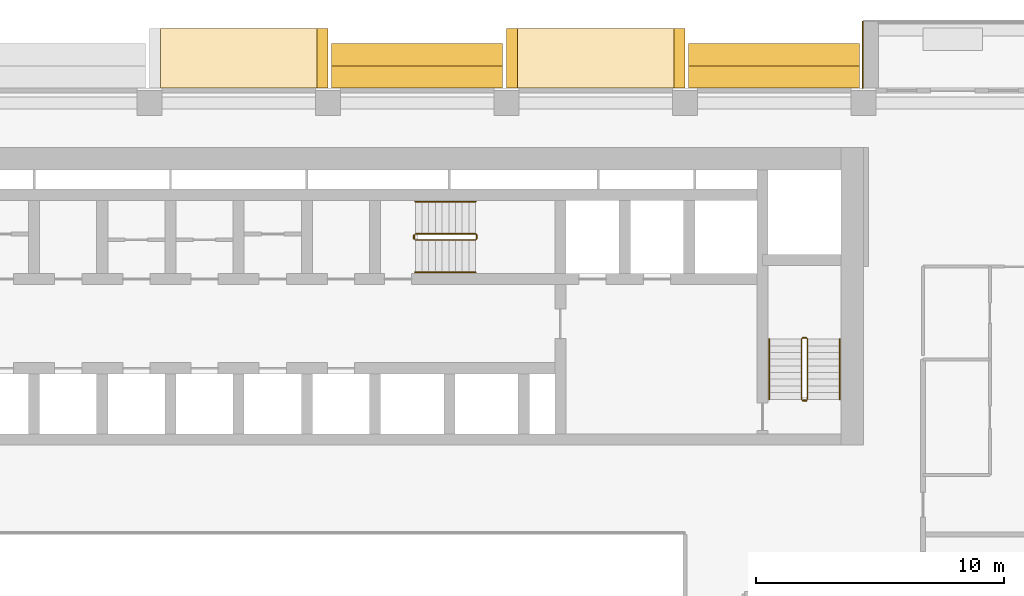
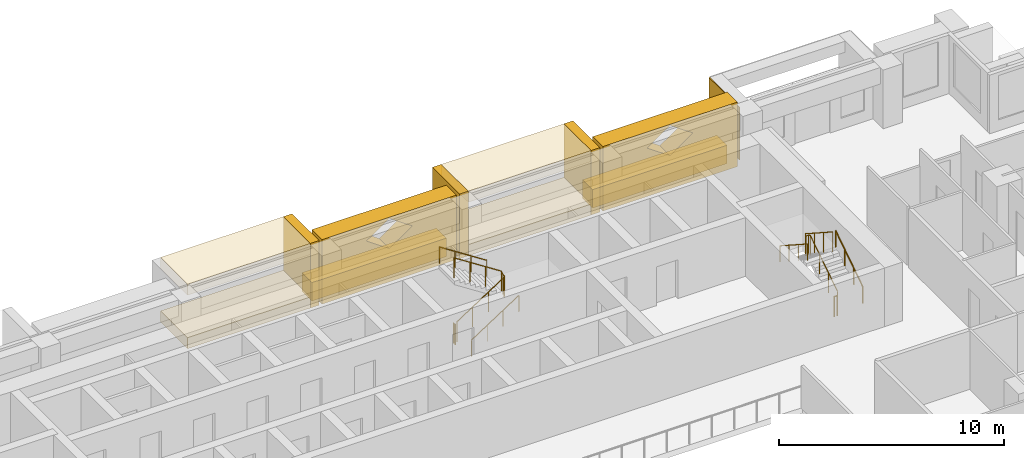
# One storey, part 16 of 17: 12 coverings, 8 railings.
"""IFC4 building model written with IfcOpenShell, lengths in metres."""

from ifc_helpers import new_model, si_unit, direction, frame, origin, origin_2d, place, context, subcontext, project, spatial, polyline, circle, outline, extrude, material, layer, layer_set, type_object, element, save


model = new_model("IFC4")

# Units and contexts
model_context = context("Model", 3, precision=1e-05, world=origin(), true_north=direction((0.0, 1.0)))
body_context = subcontext(model_context, "Body", "Model", "MODEL_VIEW")
ifc_project = project(units=[si_unit("LENGTHUNIT", "METRE"), si_unit("AREAUNIT", "SQUARE_METRE"), si_unit("VOLUMEUNIT", "CUBIC_METRE"), si_unit("PLANEANGLEUNIT", "RADIAN"), si_unit("MASSUNIT", "GRAM", prefix="KILO")], contexts=[model_context])

# Site, building, storey
site_placement = place(None, origin())
site = spatial("IfcSite", under=ifc_project, at=site_placement, CompositionType="ELEMENT")
building_placement = place(site_placement, origin())
building = spatial("IfcBuilding", under=site, at=building_placement, Name="Saffron Iwan Residences", CompositionType="ELEMENT")
storey_placement = place(building_placement, frame((0.0, 0.0, 72.5)))
storey = spatial("IfcBuildingStorey", under=building, at=storey_placement, Name="L18", CompositionType="ELEMENT", Elevation=72.5)

# Coverings
ifc_material_1 = material(Name="Precast concrete C40/50 white painted", Category="concrete")
ifc_layer_1 = layer(ifc_material_1, 0.050048828125)
ifc_layer_set_1 = layer_set([ifc_layer_1], Name="Precast concrete C40/50 white painted")
covering_type_1 = type_object("IfcCoveringType", Name="FRAME SKIN PRECAST WHITE 50", PredefinedType="CLADDING", material=ifc_layer_set_1)
covering_1_placement = place(storey_placement, origin())
element("IfcCovering", 1, at=covering_1_placement, inside=storey, type_object=covering_type_1, Name="Frame skin fin L18 F5-0b", PredefinedType="CLADDING", context=body_context, shape_type="SweptSolid", body=[
    extrude(outline(polyline([(72.0, 83.10009765625), (71.949951171875, 83.10009765625), (71.949951171875, 80.39990234375), (72.0, 80.39990234375), (72.0, 83.10009765625)])), origin(), (0.0, 0.0, 1.0), 2.85009765625),
])
ifc_material_2 = material(Name="Precast concrete C40/50", Category="concrete")
covering_type_2 = type_object("IfcCoveringType", Name="OUTER SKIN LATTICE SCREEN", PredefinedType="CLADDING", material=ifc_material_2)
for number, where, z_axis, x_axis, name in (
    (2, (71.85009765625, 80.39990234375, -0.320068359375), (0.0, 1.0, 0.0), (-1.0, 0.0, 0.0), "OUTER SKIN lattice screen L18 F5.1"),
    (3, (57.449951171875, 80.39990234375, -0.320068359375), (0.0, 1.0, 0.0), (-1.0, 0.0, 0.0), "OUTER SKIN lattice screen L18 F5.2"),
):
    element("IfcCovering", number, at=place(storey_placement, frame(where, z_axis=z_axis, x_axis=x_axis)), inside=storey, type_object=covering_type_2, Name=name, PredefinedType="CLADDING", context=body_context, shape_type="SweptSolid", body=[
        extrude(outline(polyline([(0.0, 0.0), (6.89990234375, 0.0), (6.89990234375, 3.5), (0.0, 3.5), (0.0, 0.0)]), holes=[polyline([(2.27001953125, 2.625), (3.449951171875, 1.81005859375), (4.6298828125, 2.625), (3.449951171875, 3.43994140625), (2.27001953125, 2.625)])]), origin(), (0.0, 0.0, 1.0), 0.900146484375),
    ])

# Railings
ifc_material_3 = material(Name="Steel S355", Category="steel")
railing_type_1 = type_object("IfcRailingType", Name="Stair guard 1100", PredefinedType="GUARDRAIL", material=ifc_material_3)
railing_1_placement = place(storey_placement, frame((53.925048828125, 74.27490234375, 0.175048828125)))
element("IfcRailing", 4, at=railing_1_placement, inside=storey, type_object=railing_type_1, Name="L18 ST-C stair guard 1", PredefinedType="GUARDRAIL", context=body_context, shape_type="SweptSolid", body=[
    extrude(circle(Radius=0.02392578125, at=origin_2d()), frame((0.0, 0.0, 1.076171875), z_axis=(0.839153699163, 0.0, 0.543894354798), x_axis=(0.0, 1.0, 0.0)), (0.0, 0.0, 1.0), 2.895751953125),
    extrude(circle(Radius=0.02392578125, at=origin_2d()), frame((2.429931640625, 0.0, 2.65087890625), z_axis=(0.707106781187, 0.707106781187, 0.0), x_axis=(-0.707106781187, 0.707106781187, 0.0)), (0.0, 0.0, 1.0), 0.07080078125),
    extrude(circle(Radius=0.02392578125, at=origin_2d()), frame((2.47998046875, 0.050048828125, 2.65087890625), z_axis=(0.0, 1.0, 0.0), x_axis=(-1.0, 0.0, 0.0)), (0.0, 0.0, 1.0), 0.150146484375),
    extrude(circle(Radius=0.02392578125, at=origin_2d()), frame((2.47998046875, 0.2001953125, 2.65087890625), z_axis=(-0.265155923931, 0.263862480399, 0.927399011991), x_axis=(-0.705375805398, -0.708833529934, 0.0)), (0.0, 0.0, 1.0), 0.188720703125),
    extrude(circle(Radius=0.02392578125, at=origin_2d()), frame((2.429931640625, 0.25, 2.826171875), z_axis=(-0.839153699163, 0.0, 0.543894354798), x_axis=(0.0, -1.0, 0.0)), (0.0, 0.0, 1.0), 2.895751953125),
    extrude(circle(Radius=0.02099609375, at=origin_2d()), origin(), (0.0, 0.0, 1.0), 1.052001953125),
    extrude(circle(Radius=0.02099609375, at=origin_2d()), frame((0.81005859375, 0.0, 0.52490234375)), (0.0, 0.0, 1.0), 1.052001953125),
    extrude(circle(Radius=0.02099609375, at=origin_2d()), frame((1.619873046875, 0.0, 1.050048828125)), (0.0, 0.0, 1.0), 1.052001953125),
    extrude(circle(Radius=0.02099609375, at=origin_2d()), frame((2.429931640625, 0.0, 1.574951171875)), (0.0, 0.0, 1.0), 1.052001953125),
    extrude(circle(Radius=0.02099609375, at=origin_2d()), frame((2.47998046875, 0.050048828125, 1.574951171875)), (0.0, 0.0, 1.0), 1.052001953125),
    extrude(circle(Radius=0.02099609375, at=origin_2d()), frame((2.47998046875, 0.2001953125, 1.574951171875)), (0.0, 0.0, 1.0), 1.052001953125),
    extrude(circle(Radius=0.02099609375, at=origin_2d()), frame((2.429931640625, 0.25, 1.75)), (0.0, 0.0, 1.0), 1.052001953125),
    extrude(circle(Radius=0.02099609375, at=origin_2d()), frame((1.619873046875, 0.25, 2.27490234375)), (0.0, 0.0, 1.0), 1.052001953125),
    extrude(circle(Radius=0.02099609375, at=origin_2d()), frame((0.81005859375, 0.25, 2.800048828125)), (0.0, 0.0, 1.0), 1.052001953125),
    extrude(circle(Radius=0.02099609375, at=origin_2d()), frame((0.0, 0.25, 3.324951171875)), (0.0, 0.0, 1.0), 1.052001953125),
])
railing_2_placement = place(storey_placement, frame((53.875, 74.324951171875, 0.0)))
element("IfcRailing", 5, at=railing_2_placement, inside=storey, type_object=railing_type_1, Name="L18 ST-C stair guard 2", PredefinedType="GUARDRAIL", context=body_context, shape_type="SweptSolid", body=[
    extrude(circle(Radius=0.02392578125, at=origin_2d()), frame((0.0, 0.0, 1.076171875), z_axis=(0.0, 1.0, 0.0), x_axis=(-1.0, 0.0, 0.0)), (0.0, 0.0, 1.0), 0.150146484375),
    extrude(circle(Radius=0.02099609375, at=origin_2d()), origin(), (0.0, 0.0, 1.0), 1.052001953125),
    extrude(circle(Radius=0.02099609375, at=origin_2d()), frame((0.0, 0.150146484375, 0.0)), (0.0, 0.0, 1.0), 1.052001953125),
])
railing_3_placement = place(storey_placement, frame((69.75, 67.85009765625, 0.175048828125)))
element("IfcRailing", 6, at=railing_3_placement, inside=storey, type_object=railing_type_1, Name="L18 ST-E stair guard 1", PredefinedType="GUARDRAIL", context=body_context, shape_type="SweptSolid", body=[
    extrude(circle(Radius=0.02392578125, at=origin_2d()), frame((0.0, 0.0, 1.076171875), z_axis=(0.0, 0.839153699163, 0.543894354798), x_axis=(-1.0, 0.0, 0.0)), (0.0, 0.0, 1.0), 2.895751953125),
    extrude(circle(Radius=0.02392578125, at=origin_2d()), frame((0.0, 2.429931640625, 2.65087890625), z_axis=(-0.707106781187, 0.707106781187, 0.0), x_axis=(-0.707106781187, -0.707106781187, 0.0)), (0.0, 0.0, 1.0), 0.07080078125),
    extrude(circle(Radius=0.02392578125, at=origin_2d()), frame((-0.050048828125, 2.47998046875, 2.65087890625), z_axis=(-1.0, 0.0, 0.0), x_axis=(0.0, -1.0, 0.0)), (0.0, 0.0, 1.0), 0.14990234375),
    extrude(circle(Radius=0.02392578125, at=origin_2d()), frame((-0.199951171875, 2.47998046875, 2.65087890625), z_axis=(-0.265065253269, -0.265065253269, 0.927081885822), x_axis=(0.707106781187, -0.707106781187, 0.0)), (0.0, 0.0, 1.0), 0.188720703125),
    extrude(circle(Radius=0.02392578125, at=origin_2d()), frame((-0.25, 2.429931640625, 2.826171875), z_axis=(0.0, -0.839153699163, 0.543894354798), x_axis=(1.0, 0.0, 0.0)), (0.0, 0.0, 1.0), 2.895751953125),
    extrude(circle(Radius=0.02099609375, at=origin_2d()), origin(), (0.0, 0.0, 1.0), 1.052001953125),
    extrude(circle(Radius=0.02099609375, at=origin_2d()), frame((0.0, 0.81005859375, 0.52490234375)), (0.0, 0.0, 1.0), 1.052001953125),
    extrude(circle(Radius=0.02099609375, at=origin_2d()), frame((0.0, 1.619873046875, 1.050048828125)), (0.0, 0.0, 1.0), 1.052001953125),
    extrude(circle(Radius=0.02099609375, at=origin_2d()), frame((0.0, 2.429931640625, 1.574951171875)), (0.0, 0.0, 1.0), 1.052001953125),
    extrude(circle(Radius=0.02099609375, at=origin_2d()), frame((-0.050048828125, 2.47998046875, 1.574951171875)), (0.0, 0.0, 1.0), 1.052001953125),
    extrude(circle(Radius=0.02099609375, at=origin_2d()), frame((-0.199951171875, 2.47998046875, 1.574951171875)), (0.0, 0.0, 1.0), 1.052001953125),
    extrude(circle(Radius=0.02099609375, at=origin_2d()), frame((-0.25, 2.429931640625, 1.75)), (0.0, 0.0, 1.0), 1.052001953125),
    extrude(circle(Radius=0.02099609375, at=origin_2d()), frame((-0.25, 1.619873046875, 2.27490234375)), (0.0, 0.0, 1.0), 1.052001953125),
    extrude(circle(Radius=0.02099609375, at=origin_2d()), frame((-0.25, 0.81005859375, 2.800048828125)), (0.0, 0.0, 1.0), 1.052001953125),
    extrude(circle(Radius=0.02099609375, at=origin_2d()), frame((-0.25, 0.0, 3.324951171875)), (0.0, 0.0, 1.0), 1.052001953125),
])
railing_4_placement = place(storey_placement, frame((69.699951171875, 67.800048828125, 0.0)))
element("IfcRailing", 7, at=railing_4_placement, inside=storey, type_object=railing_type_1, Name="L18 ST-E stair guard 2", PredefinedType="GUARDRAIL", context=body_context, shape_type="SweptSolid", body=[
    extrude(circle(Radius=0.02392578125, at=origin_2d()), frame((0.0, 0.0, 1.076171875), z_axis=(-1.0, 0.0, 0.0), x_axis=(0.0, -1.0, 0.0)), (0.0, 0.0, 1.0), 0.14990234375),
    extrude(circle(Radius=0.02099609375, at=origin_2d()), origin(), (0.0, 0.0, 1.0), 1.052001953125),
    extrude(circle(Radius=0.02099609375, at=origin_2d()), frame((-0.14990234375, 0.0, 0.0)), (0.0, 0.0, 1.0), 1.052001953125),
])
ifc_material_4 = material(Name="Stainless steel 316", Category="steel")
railing_type_2 = type_object("IfcRailingType", Name="Stair handrail 900", PredefinedType="HANDRAIL", material=ifc_material_4)
railing_5_placement = place(storey_placement, frame((53.925048828125, 72.97509765625, 0.175048828125)))
element("IfcRailing", 8, at=railing_5_placement, inside=storey, type_object=railing_type_2, Name="L18 ST-C stair handrail 1", PredefinedType="HANDRAIL", context=body_context, shape_type="SweptSolid", body=[
    extrude(circle(Radius=0.02392578125, at=origin_2d()), frame((0.0, 0.0, 0.8759765625), z_axis=(0.839153699163, 0.0, 0.543894354798), x_axis=(0.0, 1.0, 0.0)), (0.0, 0.0, 1.0), 2.895751953125),
    extrude(circle(Radius=0.02099609375, at=origin_2d()), origin(), (0.0, 0.0, 1.0), 0.851806640625),
    extrude(circle(Radius=0.02099609375, at=origin_2d()), frame((0.81005859375, 0.0, 0.52490234375)), (0.0, 0.0, 1.0), 0.851806640625),
    extrude(circle(Radius=0.02099609375, at=origin_2d()), frame((1.619873046875, 0.0, 1.050048828125)), (0.0, 0.0, 1.0), 0.851806640625),
    extrude(circle(Radius=0.02099609375, at=origin_2d()), frame((2.429931640625, 0.0, 1.574951171875)), (0.0, 0.0, 1.0), 0.851806640625),
])
railing_6_placement = place(storey_placement, frame((56.35498046875, 75.824951171875, 1.925048828125)))
element("IfcRailing", 9, at=railing_6_placement, inside=storey, type_object=railing_type_2, Name="L18 ST-C stair handrail 2", PredefinedType="HANDRAIL", context=body_context, shape_type="SweptSolid", body=[
    extrude(circle(Radius=0.02392578125, at=origin_2d()), frame((0.0, 0.0, 0.8759765625), z_axis=(-0.839153699163, 0.0, 0.543894354798), x_axis=(0.0, -1.0, 0.0)), (0.0, 0.0, 1.0), 2.895751953125),
    extrude(circle(Radius=0.02099609375, at=origin_2d()), origin(), (0.0, 0.0, 1.0), 0.851806640625),
    extrude(circle(Radius=0.02099609375, at=origin_2d()), frame((-0.81005859375, 0.0, 0.52490234375)), (0.0, 0.0, 1.0), 0.851806640625),
    extrude(circle(Radius=0.02099609375, at=origin_2d()), frame((-1.619873046875, 0.0, 1.050048828125)), (0.0, 0.0, 1.0), 0.851806640625),
    extrude(circle(Radius=0.02099609375, at=origin_2d()), frame((-2.429931640625, 0.0, 1.574951171875)), (0.0, 0.0, 1.0), 0.851806640625),
])
railing_7_placement = place(storey_placement, frame((71.050048828125, 67.85009765625, 0.175048828125)))
element("IfcRailing", 10, at=railing_7_placement, inside=storey, type_object=railing_type_2, Name="L18 ST-E stair handrail 1", PredefinedType="HANDRAIL", context=body_context, shape_type="SweptSolid", body=[
    extrude(circle(Radius=0.02392578125, at=origin_2d()), frame((0.0, 0.0, 0.8759765625), z_axis=(0.0, 0.839153699163, 0.543894354798), x_axis=(-1.0, 0.0, 0.0)), (0.0, 0.0, 1.0), 2.895751953125),
    extrude(circle(Radius=0.02099609375, at=origin_2d()), origin(), (0.0, 0.0, 1.0), 0.851806640625),
    extrude(circle(Radius=0.02099609375, at=origin_2d()), frame((0.0, 0.81005859375, 0.52490234375)), (0.0, 0.0, 1.0), 0.851806640625),
    extrude(circle(Radius=0.02099609375, at=origin_2d()), frame((0.0, 1.619873046875, 1.050048828125)), (0.0, 0.0, 1.0), 0.851806640625),
    extrude(circle(Radius=0.02099609375, at=origin_2d()), frame((0.0, 2.429931640625, 1.574951171875)), (0.0, 0.0, 1.0), 0.851806640625),
])
railing_8_placement = place(storey_placement, frame((68.199951171875, 70.280029296875, 1.925048828125)))
element("IfcRailing", 11, at=railing_8_placement, inside=storey, type_object=railing_type_2, Name="L18 ST-E stair handrail 2", PredefinedType="HANDRAIL", context=body_context, shape_type="SweptSolid", body=[
    extrude(circle(Radius=0.02392578125, at=origin_2d()), frame((0.0, 0.0, 0.8759765625), z_axis=(0.0, -0.839153699163, 0.543894354798), x_axis=(1.0, 0.0, 0.0)), (0.0, 0.0, 1.0), 2.895751953125),
    extrude(circle(Radius=0.02099609375, at=origin_2d()), origin(), (0.0, 0.0, 1.0), 0.851806640625),
    extrude(circle(Radius=0.02099609375, at=origin_2d()), frame((0.0, -0.81005859375, 0.52490234375)), (0.0, 0.0, 1.0), 0.851806640625),
    extrude(circle(Radius=0.02099609375, at=origin_2d()), frame((0.0, -1.619873046875, 1.050048828125)), (0.0, 0.0, 1.0), 0.851806640625),
    extrude(circle(Radius=0.02099609375, at=origin_2d()), frame((0.0, -2.429931640625, 1.574951171875)), (0.0, 0.0, 1.0), 0.851806640625),
])

# Coverings
ifc_layer_2 = layer(ifc_material_1, 0.89990234375)
ifc_layer_set_2 = layer_set([ifc_layer_2], Name="Precast concrete C40/50 white painted")
covering_type_3 = type_object("IfcCoveringType", Name="WHITE EDGE BAND 900 x 1000", PredefinedType="CLADDING", material=ifc_layer_set_2)
covering_2_placement = place(storey_placement, frame((0.0, 0.0, -0.699951171875)))
element("IfcCovering", 12, at=covering_2_placement, inside=storey, type_object=covering_type_3, Name="White edge band L18 F5.1", PredefinedType="CLADDING", context=body_context, shape_type="SweptSolid", body=[
    extrude(outline(polyline([(71.85009765625, 82.199951171875), (64.949951171875, 82.199951171875), (64.949951171875, 81.300048828125), (71.85009765625, 81.300048828125), (71.85009765625, 82.199951171875)])), origin(), (0.0, 0.0, 1.0), 1.0),
])
covering_3_placement = place(storey_placement, frame((0.0, 0.0, -0.699951171875)))
element("IfcCovering", 13, at=covering_3_placement, inside=storey, type_object=covering_type_3, Name="White edge band L18 F5.2", PredefinedType="CLADDING", context=body_context, shape_type="SweptSolid", body=[
    extrude(outline(polyline([(57.449951171875, 82.199951171875), (50.550048828125, 82.199951171875), (50.550048828125, 81.300048828125), (57.449951171875, 81.300048828125), (57.449951171875, 82.199951171875)])), origin(), (0.0, 0.0, 1.0), 1.0),
])
covering_type_4 = type_object("IfcCoveringType", Name="WHITE SUN FRAME PRECAST", PredefinedType="CLADDING", material=ifc_material_1)
for number, where, z_axis, x_axis, name in (
    (14, (64.800048828125, 80.39990234375, -0.320068359375), (0.0, 1.0, 0.0), (-1.0, 0.0, 0.0), "Sun frame L18 F5 18.0a"),
    (15, (58.050048828125, 80.39990234375, -0.320068359375), (0.0, 1.0, 0.0), (-1.0, 0.0, 0.0), "Sun frame L18 F5 18.0b"),
):
    element("IfcCovering", number, at=place(storey_placement, frame(where, z_axis=z_axis, x_axis=x_axis)), inside=storey, type_object=covering_type_4, Name=name, PredefinedType="CLADDING", context=body_context, shape_type="SweptSolid", body=[
        extrude(outline(polyline([(0.0, 0.0), (0.449951171875, 0.0), (0.449951171875, 3.5), (0.0, 3.5), (0.0, 0.0)])), origin(), (0.0, 0.0, 1.0), 2.400146484375),
    ])
for number, where, z_axis, x_axis, name in (
    (16, (64.35009765625, 80.39990234375, 2.580078125), (0.0, 1.0, 0.0), (-1.0, 0.0, 0.0), "Sun frame L18 F5 18.0h"),
    (17, (64.35009765625, 80.39990234375, -0.320068359375), (0.0, 1.0, 0.0), (-1.0, 0.0, 0.0), "Sun frame L18 F5 18.0s"),
):
    element("IfcCovering", number, at=place(storey_placement, frame(where, z_axis=z_axis, x_axis=x_axis)), inside=storey, type_object=covering_type_4, Name=name, PredefinedType="CLADDING", context=body_context, shape_type="SweptSolid", body=[
        extrude(outline(polyline([(0.0, 0.0), (6.300048828125, 0.0), (6.300048828125, 0.60009765625), (0.0, 0.60009765625), (0.0, 0.0)])), origin(), (0.0, 0.0, 1.0), 2.400146484375),
    ])
covering_4_placement = place(storey_placement, frame((50.39990234375, 80.39990234375, -0.320068359375), z_axis=(0.0, 1.0, 0.0), x_axis=(-1.0, 0.0, 0.0)))
element("IfcCovering", 18, at=covering_4_placement, inside=storey, type_object=covering_type_4, Name="Sun frame L18 F5 32.4a", PredefinedType="CLADDING", context=body_context, shape_type="SweptSolid", body=[
    extrude(outline(polyline([(0.0, 0.0), (0.449951171875, 0.0), (0.449951171875, 3.5), (0.0, 3.5), (0.0, 0.0)])), origin(), (0.0, 0.0, 1.0), 2.400146484375),
])
for number, where, z_axis, x_axis, name in (
    (19, (49.949951171875, 80.39990234375, 2.580078125), (0.0, 1.0, 0.0), (-1.0, 0.0, 0.0), "Sun frame L18 F5 32.4h"),
    (20, (49.949951171875, 80.39990234375, -0.320068359375), (0.0, 1.0, 0.0), (-1.0, 0.0, 0.0), "Sun frame L18 F5 32.4s"),
):
    element("IfcCovering", number, at=place(storey_placement, frame(where, z_axis=z_axis, x_axis=x_axis)), inside=storey, type_object=covering_type_4, Name=name, PredefinedType="CLADDING", context=body_context, shape_type="SweptSolid", body=[
        extrude(outline(polyline([(0.0, 0.0), (6.300048828125, 0.0), (6.300048828125, 0.60009765625), (0.0, 0.60009765625), (0.0, 0.0)])), origin(), (0.0, 0.0, 1.0), 2.400146484375),
    ])

save(model, "model.ifc")
